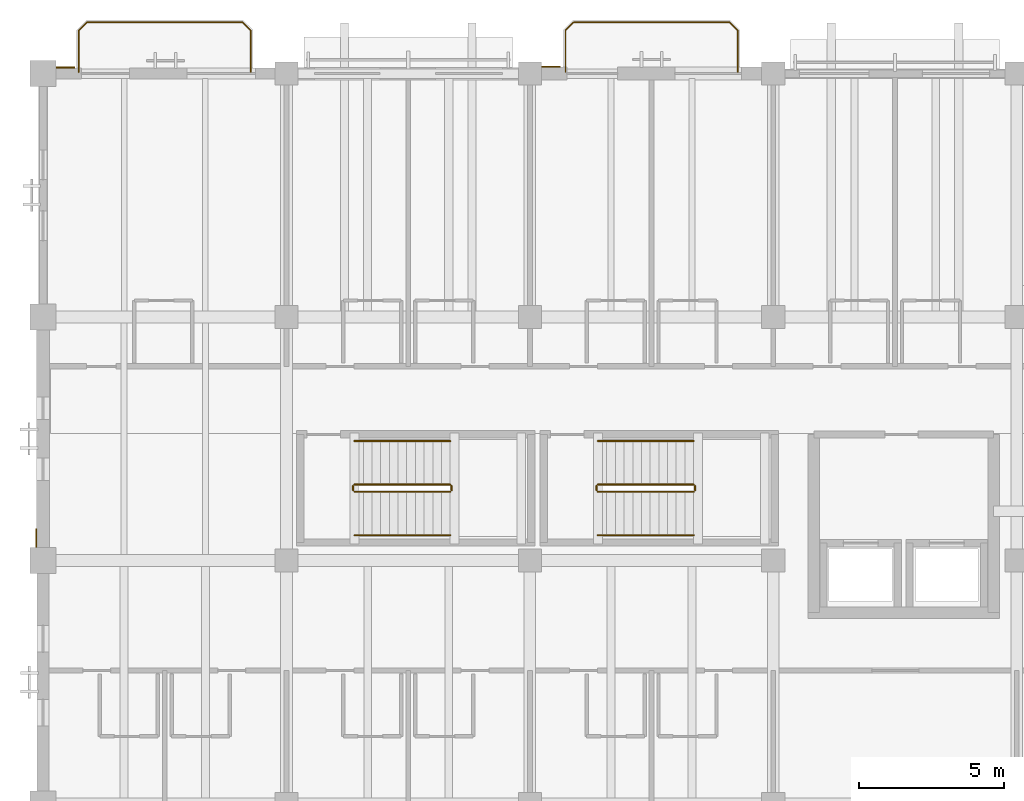
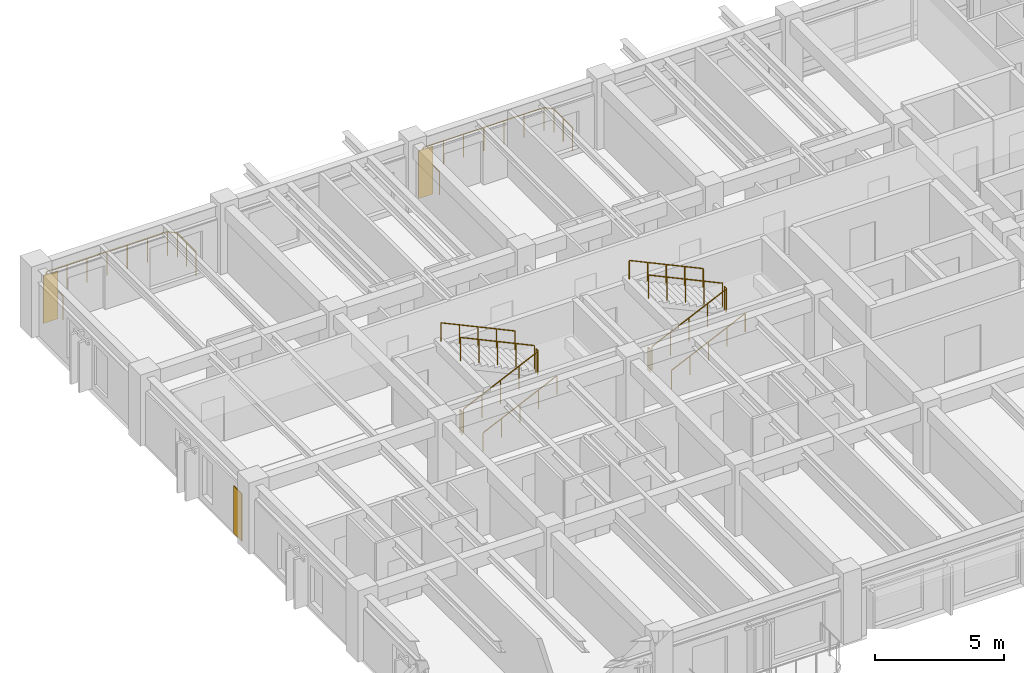
# One storey, part 114 of 123: 14 railings, 3 coverings.
"""IFC4 building model written with IfcOpenShell, lengths in metres."""

from ifc_helpers import new_model, si_unit, direction, frame, origin, origin_2d, place, context, subcontext, project, spatial, polyline, circle, outline, extrude, material, layer, layer_set, type_object, element, save


model = new_model("IFC4")

# Units and contexts
model_context = context("Model", 3, precision=1e-05, world=origin(), true_north=direction((0.0, 1.0)))
body_context = subcontext(model_context, "Body", "Model", "MODEL_VIEW")
ifc_project = project(units=[si_unit("LENGTHUNIT", "METRE"), si_unit("AREAUNIT", "SQUARE_METRE"), si_unit("VOLUMEUNIT", "CUBIC_METRE"), si_unit("PLANEANGLEUNIT", "RADIAN"), si_unit("MASSUNIT", "GRAM", prefix="KILO")], contexts=[model_context])

# Site, building, storey
site_placement = place(None, origin())
site = spatial("IfcSite", under=ifc_project, at=site_placement, CompositionType="ELEMENT")
building_placement = place(site_placement, origin())
building = spatial("IfcBuilding", under=site, at=building_placement, Name="Cumbredor Promenade Congress Hotel", CompositionType="ELEMENT")
storey_placement = place(building_placement, frame((0.0, 0.0, 11.760009765625)))
storey = spatial("IfcBuildingStorey", under=building, at=storey_placement, Name="L03", CompositionType="ELEMENT", Elevation=11.760009765625)

# Covering
ifc_material_1 = material(Name="Precast concrete C40/50", Category="concrete")
ifc_layer_1 = layer(ifc_material_1, 0.044921875, Name="Precast concrete C40/50", Category="concrete")
ifc_layer_set_1 = layer_set([ifc_layer_1], Name="Precast concrete C40/50")
covering_type_1 = type_object("IfcCoveringType", Name="Board-Formed Architectural Cladding Panel 45mm", PredefinedType="CLADDING", material=ifc_layer_set_1)
covering_1_placement = place(storey_placement, origin())
element("IfcCovering", 1, at=covering_1_placement, inside=storey, type_object=covering_type_1, Name="L03 Facade Stone Cladding Pier 156", PredefinedType="CLADDING", context=body_context, shape_type="SweptSolid", body=[
    extrude(outline(polyline([(0.450927734375, 117.7900390625), (1.10107421875, 117.7900390625), (1.10107421875, 117.8349609375), (0.450927734375, 117.8349609375), (0.450927734375, 117.7900390625)])), origin(), (0.0, 0.0, 1.0), 2.25),
])

# Railings
ifc_material_2 = material(Name="Brushed stainless steel", Category="steel")
railing_type_1 = type_object("IfcRailingType", Name="Interior Void & Stair Guardrail GR-1100", PredefinedType="GUARDRAIL", material=ifc_material_2)
railing_1_placement = place(storey_placement, frame((10.75, 103.169921875, 0.139892578125)))
element("IfcRailing", 2, at=railing_1_placement, inside=storey, type_object=railing_type_1, Name="L03 ST-01 stair guard 1", PredefinedType="GUARDRAIL", context=body_context, shape_type="SweptSolid", body=[
    extrude(circle(Radius=0.02392578125, at=origin_2d()), frame((0.0, 0.0, 1.09619140625), z_axis=(0.906181427284, 0.0, 0.422889135408), x_axis=(0.0, 1.0, 0.0)), (0.0, 0.0, 1.0), 3.6416015625),
    extrude(circle(Radius=0.02099609375, at=origin_2d()), origin(), (0.0, 0.0, 1.0), 1.072021484375),
    extrude(circle(Radius=0.02099609375, at=origin_2d()), frame((0.824951171875, 0.0, 0.385009765625)), (0.0, 0.0, 1.0), 1.072021484375),
    extrude(circle(Radius=0.02099609375, at=origin_2d()), frame((1.64990234375, 0.0, 0.77001953125)), (0.0, 0.0, 1.0), 1.072021484375),
    extrude(circle(Radius=0.02099609375, at=origin_2d()), frame((2.47509765625, 0.0, 1.155029296875)), (0.0, 0.0, 1.0), 1.072021484375),
    extrude(circle(Radius=0.02099609375, at=origin_2d()), frame((3.300048828125, 0.0, 1.5400390625)), (0.0, 0.0, 1.0), 1.072021484375),
])
railing_2_placement = place(storey_placement, frame((14.10009765625, 103.219970703125, 1.679931640625)))
element("IfcRailing", 3, at=railing_2_placement, inside=storey, type_object=railing_type_1, Name="L03 ST-01 stair guard 2", PredefinedType="GUARDRAIL", context=body_context, shape_type="SweptSolid", body=[
    extrude(circle(Radius=0.02392578125, at=origin_2d()), frame((0.0, 0.0, 1.09619140625), z_axis=(0.0, 1.0, 0.0), x_axis=(-1.0, 0.0, 0.0)), (0.0, 0.0, 1.0), 0.150146484375),
    extrude(circle(Radius=0.02099609375, at=origin_2d()), origin(), (0.0, 0.0, 1.0), 1.072021484375),
    extrude(circle(Radius=0.02099609375, at=origin_2d()), frame((0.0, 0.150146484375, 0.0)), (0.0, 0.0, 1.0), 1.072021484375),
])
railing_3_placement = place(storey_placement, frame((14.050048828125, 103.419921875, 1.820068359375)))
element("IfcRailing", 4, at=railing_3_placement, inside=storey, type_object=railing_type_1, Name="L03 ST-01 stair guard 3", PredefinedType="GUARDRAIL", context=body_context, shape_type="SweptSolid", body=[
    extrude(circle(Radius=0.02392578125, at=origin_2d()), frame((0.0, 0.0, 1.09619140625), z_axis=(-0.906181427284, 0.0, 0.422889135408), x_axis=(0.0, -1.0, 0.0)), (0.0, 0.0, 1.0), 3.6416015625),
    extrude(circle(Radius=0.02099609375, at=origin_2d()), origin(), (0.0, 0.0, 1.0), 1.072021484375),
    extrude(circle(Radius=0.02099609375, at=origin_2d()), frame((-0.824951171875, 0.0, 0.385009765625)), (0.0, 0.0, 1.0), 1.072021484375),
    extrude(circle(Radius=0.02099609375, at=origin_2d()), frame((-1.64990234375, 0.0, 0.77001953125)), (0.0, 0.0, 1.0), 1.072021484375),
    extrude(circle(Radius=0.02099609375, at=origin_2d()), frame((-2.47509765625, 0.0, 1.155029296875)), (0.0, 0.0, 1.0), 1.072021484375),
    extrude(circle(Radius=0.02099609375, at=origin_2d()), frame((-3.300048828125, 0.0, 1.5400390625)), (0.0, 0.0, 1.0), 1.072021484375),
])
railing_4_placement = place(storey_placement, frame((10.699951171875, 103.219970703125, 0.0)))
element("IfcRailing", 5, at=railing_4_placement, inside=storey, type_object=railing_type_1, Name="L03 ST-01 stair guard 4", PredefinedType="GUARDRAIL", context=body_context, shape_type="SweptSolid", body=[
    extrude(circle(Radius=0.02392578125, at=origin_2d()), frame((0.0, 0.0, 1.09619140625), z_axis=(0.0, 1.0, 0.0), x_axis=(-1.0, 0.0, 0.0)), (0.0, 0.0, 1.0), 0.150146484375),
    extrude(circle(Radius=0.02099609375, at=origin_2d()), origin(), (0.0, 0.0, 1.0), 1.072021484375),
    extrude(circle(Radius=0.02099609375, at=origin_2d()), frame((0.0, 0.150146484375, 0.0)), (0.0, 0.0, 1.0), 1.072021484375),
])
railing_5_placement = place(storey_placement, frame((19.14990234375, 103.169921875, 0.139892578125)))
element("IfcRailing", 6, at=railing_5_placement, inside=storey, type_object=railing_type_1, Name="L03 ST-02 stair guard 1", PredefinedType="GUARDRAIL", context=body_context, shape_type="SweptSolid", body=[
    extrude(circle(Radius=0.02392578125, at=origin_2d()), frame((0.0, 0.0, 1.09619140625), z_axis=(0.906181427284, 0.0, 0.422889135408), x_axis=(0.0, 1.0, 0.0)), (0.0, 0.0, 1.0), 3.6416015625),
    extrude(circle(Radius=0.02099609375, at=origin_2d()), origin(), (0.0, 0.0, 1.0), 1.072021484375),
    extrude(circle(Radius=0.02099609375, at=origin_2d()), frame((0.824951171875, 0.0, 0.385009765625)), (0.0, 0.0, 1.0), 1.072021484375),
    extrude(circle(Radius=0.02099609375, at=origin_2d()), frame((1.64990234375, 0.0, 0.77001953125)), (0.0, 0.0, 1.0), 1.072021484375),
    extrude(circle(Radius=0.02099609375, at=origin_2d()), frame((2.47509765625, 0.0, 1.155029296875)), (0.0, 0.0, 1.0), 1.072021484375),
    extrude(circle(Radius=0.02099609375, at=origin_2d()), frame((3.300048828125, 0.0, 1.5400390625)), (0.0, 0.0, 1.0), 1.072021484375),
])
railing_6_placement = place(storey_placement, frame((22.5, 103.219970703125, 1.679931640625)))
element("IfcRailing", 7, at=railing_6_placement, inside=storey, type_object=railing_type_1, Name="L03 ST-02 stair guard 2", PredefinedType="GUARDRAIL", context=body_context, shape_type="SweptSolid", body=[
    extrude(circle(Radius=0.02392578125, at=origin_2d()), frame((0.0, 0.0, 1.09619140625), z_axis=(0.0, 1.0, 0.0), x_axis=(-1.0, 0.0, 0.0)), (0.0, 0.0, 1.0), 0.150146484375),
    extrude(circle(Radius=0.02099609375, at=origin_2d()), origin(), (0.0, 0.0, 1.0), 1.072021484375),
    extrude(circle(Radius=0.02099609375, at=origin_2d()), frame((0.0, 0.150146484375, 0.0)), (0.0, 0.0, 1.0), 1.072021484375),
])
railing_7_placement = place(storey_placement, frame((22.449951171875, 103.419921875, 1.820068359375)))
element("IfcRailing", 8, at=railing_7_placement, inside=storey, type_object=railing_type_1, Name="L03 ST-02 stair guard 3", PredefinedType="GUARDRAIL", context=body_context, shape_type="SweptSolid", body=[
    extrude(circle(Radius=0.02392578125, at=origin_2d()), frame((0.0, 0.0, 1.09619140625), z_axis=(-0.906181427284, 0.0, 0.422889135408), x_axis=(0.0, -1.0, 0.0)), (0.0, 0.0, 1.0), 3.6416015625),
    extrude(circle(Radius=0.02099609375, at=origin_2d()), origin(), (0.0, 0.0, 1.0), 1.072021484375),
    extrude(circle(Radius=0.02099609375, at=origin_2d()), frame((-0.824951171875, 0.0, 0.385009765625)), (0.0, 0.0, 1.0), 1.072021484375),
    extrude(circle(Radius=0.02099609375, at=origin_2d()), frame((-1.64990234375, 0.0, 0.77001953125)), (0.0, 0.0, 1.0), 1.072021484375),
    extrude(circle(Radius=0.02099609375, at=origin_2d()), frame((-2.47509765625, 0.0, 1.155029296875)), (0.0, 0.0, 1.0), 1.072021484375),
    extrude(circle(Radius=0.02099609375, at=origin_2d()), frame((-3.300048828125, 0.0, 1.5400390625)), (0.0, 0.0, 1.0), 1.072021484375),
])
railing_8_placement = place(storey_placement, frame((19.10009765625, 103.219970703125, 0.0)))
element("IfcRailing", 9, at=railing_8_placement, inside=storey, type_object=railing_type_1, Name="L03 ST-02 stair guard 4", PredefinedType="GUARDRAIL", context=body_context, shape_type="SweptSolid", body=[
    extrude(circle(Radius=0.02392578125, at=origin_2d()), frame((0.0, 0.0, 1.09619140625), z_axis=(0.0, 1.0, 0.0), x_axis=(-1.0, 0.0, 0.0)), (0.0, 0.0, 1.0), 0.150146484375),
    extrude(circle(Radius=0.02099609375, at=origin_2d()), origin(), (0.0, 0.0, 1.0), 1.072021484375),
    extrude(circle(Radius=0.02099609375, at=origin_2d()), frame((0.0, 0.150146484375, 0.0)), (0.0, 0.0, 1.0), 1.072021484375),
])
railing_type_2 = type_object("IfcRailingType", Name="Sky Garden Glass-and-Steel Balustrade BAL-1150", PredefinedType="BALUSTRADE", material=ifc_material_2)
railing_9_placement = place(storey_placement, frame((1.22998046875, 117.64990234375, 0.0)))
element("IfcRailing", 10, at=railing_9_placement, inside=storey, type_object=railing_type_2, Name="L03 Veranda Balcony Balustrade 012", PredefinedType="BALUSTRADE", context=body_context, shape_type="SweptSolid", body=[
    extrude(circle(Radius=0.02392578125, at=origin_2d()), frame((0.0, 0.0, 1.1259765625), z_axis=(0.0, 1.0, 0.0), x_axis=(-1.0, 0.0, 0.0)), (0.0, 0.0, 1.0), 1.440185546875),
    extrude(circle(Radius=0.02392578125, at=origin_2d()), frame((0.0, 1.440185546875, 1.1259765625), z_axis=(0.707106781187, 0.707106781187, 0.0), x_axis=(-0.707106781187, 0.707106781187, 0.0)), (0.0, 0.0, 1.0), 0.39599609375),
    extrude(circle(Radius=0.02392578125, at=origin_2d()), frame((0.280029296875, 1.72021484375, 1.1259765625), z_axis=(1.0, 0.0, 0.0), x_axis=(0.0, 1.0, 0.0)), (0.0, 0.0, 1.0), 5.3798828125),
    extrude(circle(Radius=0.02392578125, at=origin_2d()), frame((5.659912109375, 1.72021484375, 1.1259765625), z_axis=(0.707106781187, -0.707106781187, 0.0), x_axis=(0.707106781187, 0.707106781187, 0.0)), (0.0, 0.0, 1.0), 0.39599609375),
    extrude(circle(Radius=0.02392578125, at=origin_2d()), frame((5.93994140625, 1.440185546875, 1.1259765625), z_axis=(0.0, -1.0, 0.0), x_axis=(1.0, 0.0, 0.0)), (0.0, 0.0, 1.0), 1.440185546875),
    extrude(circle(Radius=0.02099609375, at=origin_2d()), origin(), (0.0, 0.0, 1.0), 1.101806640625),
    extrude(circle(Radius=0.02099609375, at=origin_2d()), frame((0.0, 0.72021484375, 0.0)), (0.0, 0.0, 1.0), 1.101806640625),
    extrude(circle(Radius=0.02099609375, at=origin_2d()), frame((0.0, 1.440185546875, 0.0)), (0.0, 0.0, 1.0), 1.101806640625),
    extrude(circle(Radius=0.02099609375, at=origin_2d()), frame((0.280029296875, 1.72021484375, 0.0)), (0.0, 0.0, 1.0), 1.101806640625),
    extrude(circle(Radius=0.02099609375, at=origin_2d()), frame((1.1767578125, 1.72021484375, 0.0)), (0.0, 0.0, 1.0), 1.101806640625),
    extrude(circle(Radius=0.02099609375, at=origin_2d()), frame((2.0732421875, 1.72021484375, 0.0)), (0.0, 0.0, 1.0), 1.101806640625),
    extrude(circle(Radius=0.02099609375, at=origin_2d()), frame((2.969970703125, 1.72021484375, 0.0)), (0.0, 0.0, 1.0), 1.101806640625),
    extrude(circle(Radius=0.02099609375, at=origin_2d()), frame((3.86669921875, 1.72021484375, 0.0)), (0.0, 0.0, 1.0), 1.101806640625),
    extrude(circle(Radius=0.02099609375, at=origin_2d()), frame((4.76318359375, 1.72021484375, 0.0)), (0.0, 0.0, 1.0), 1.101806640625),
    extrude(circle(Radius=0.02099609375, at=origin_2d()), frame((5.659912109375, 1.72021484375, 0.0)), (0.0, 0.0, 1.0), 1.101806640625),
    extrude(circle(Radius=0.02099609375, at=origin_2d()), frame((5.93994140625, 1.440185546875, 0.0)), (0.0, 0.0, 1.0), 1.101806640625),
    extrude(circle(Radius=0.02099609375, at=origin_2d()), frame((5.93994140625, 0.72021484375, 0.0)), (0.0, 0.0, 1.0), 1.101806640625),
    extrude(circle(Radius=0.02099609375, at=origin_2d()), frame((5.93994140625, 0.0, 0.0)), (0.0, 0.0, 1.0), 1.101806640625),
])
railing_type_3 = type_object("IfcRailingType", Name="Stair Pitch Handrail HR-900", PredefinedType="HANDRAIL", material=ifc_material_2)
railing_10_placement = place(storey_placement, frame((10.75, 101.669921875, 0.139892578125)))
element("IfcRailing", 11, at=railing_10_placement, inside=storey, type_object=railing_type_3, Name="L03 ST-01 stair handrail 1", PredefinedType="HANDRAIL", context=body_context, shape_type="SweptSolid", body=[
    extrude(circle(Radius=0.02392578125, at=origin_2d()), frame((0.0, 0.0, 0.8759765625), z_axis=(0.906181427284, 0.0, 0.422889135408), x_axis=(0.0, 1.0, 0.0)), (0.0, 0.0, 1.0), 3.6416015625),
    extrude(circle(Radius=0.02099609375, at=origin_2d()), origin(), (0.0, 0.0, 1.0), 0.851806640625),
    extrude(circle(Radius=0.02099609375, at=origin_2d()), frame((0.824951171875, 0.0, 0.385009765625)), (0.0, 0.0, 1.0), 0.851806640625),
    extrude(circle(Radius=0.02099609375, at=origin_2d()), frame((1.64990234375, 0.0, 0.77001953125)), (0.0, 0.0, 1.0), 0.851806640625),
    extrude(circle(Radius=0.02099609375, at=origin_2d()), frame((2.47509765625, 0.0, 1.155029296875)), (0.0, 0.0, 1.0), 0.851806640625),
    extrude(circle(Radius=0.02099609375, at=origin_2d()), frame((3.300048828125, 0.0, 1.5400390625)), (0.0, 0.0, 1.0), 0.851806640625),
])
railing_11_placement = place(storey_placement, frame((14.050048828125, 104.919921875, 1.820068359375)))
element("IfcRailing", 12, at=railing_11_placement, inside=storey, type_object=railing_type_3, Name="L03 ST-01 stair handrail 2", PredefinedType="HANDRAIL", context=body_context, shape_type="SweptSolid", body=[
    extrude(circle(Radius=0.02392578125, at=origin_2d()), frame((0.0, 0.0, 0.8759765625), z_axis=(-0.906181427284, 0.0, 0.422889135408), x_axis=(0.0, -1.0, 0.0)), (0.0, 0.0, 1.0), 3.6416015625),
    extrude(circle(Radius=0.02099609375, at=origin_2d()), origin(), (0.0, 0.0, 1.0), 0.851806640625),
    extrude(circle(Radius=0.02099609375, at=origin_2d()), frame((-0.824951171875, 0.0, 0.385009765625)), (0.0, 0.0, 1.0), 0.851806640625),
    extrude(circle(Radius=0.02099609375, at=origin_2d()), frame((-1.64990234375, 0.0, 0.77001953125)), (0.0, 0.0, 1.0), 0.851806640625),
    extrude(circle(Radius=0.02099609375, at=origin_2d()), frame((-2.47509765625, 0.0, 1.155029296875)), (0.0, 0.0, 1.0), 0.851806640625),
    extrude(circle(Radius=0.02099609375, at=origin_2d()), frame((-3.300048828125, 0.0, 1.5400390625)), (0.0, 0.0, 1.0), 0.851806640625),
])
railing_12_placement = place(storey_placement, frame((19.14990234375, 101.669921875, 0.139892578125)))
element("IfcRailing", 13, at=railing_12_placement, inside=storey, type_object=railing_type_3, Name="L03 ST-02 stair handrail 1", PredefinedType="HANDRAIL", context=body_context, shape_type="SweptSolid", body=[
    extrude(circle(Radius=0.02392578125, at=origin_2d()), frame((0.0, 0.0, 0.8759765625), z_axis=(0.906181427284, 0.0, 0.422889135408), x_axis=(0.0, 1.0, 0.0)), (0.0, 0.0, 1.0), 3.6416015625),
    extrude(circle(Radius=0.02099609375, at=origin_2d()), origin(), (0.0, 0.0, 1.0), 0.851806640625),
    extrude(circle(Radius=0.02099609375, at=origin_2d()), frame((0.824951171875, 0.0, 0.385009765625)), (0.0, 0.0, 1.0), 0.851806640625),
    extrude(circle(Radius=0.02099609375, at=origin_2d()), frame((1.64990234375, 0.0, 0.77001953125)), (0.0, 0.0, 1.0), 0.851806640625),
    extrude(circle(Radius=0.02099609375, at=origin_2d()), frame((2.47509765625, 0.0, 1.155029296875)), (0.0, 0.0, 1.0), 0.851806640625),
    extrude(circle(Radius=0.02099609375, at=origin_2d()), frame((3.300048828125, 0.0, 1.5400390625)), (0.0, 0.0, 1.0), 0.851806640625),
])
railing_13_placement = place(storey_placement, frame((22.449951171875, 104.919921875, 1.820068359375)))
element("IfcRailing", 14, at=railing_13_placement, inside=storey, type_object=railing_type_3, Name="L03 ST-02 stair handrail 2", PredefinedType="HANDRAIL", context=body_context, shape_type="SweptSolid", body=[
    extrude(circle(Radius=0.02392578125, at=origin_2d()), frame((0.0, 0.0, 0.8759765625), z_axis=(-0.906181427284, 0.0, 0.422889135408), x_axis=(0.0, -1.0, 0.0)), (0.0, 0.0, 1.0), 3.6416015625),
    extrude(circle(Radius=0.02099609375, at=origin_2d()), origin(), (0.0, 0.0, 1.0), 0.851806640625),
    extrude(circle(Radius=0.02099609375, at=origin_2d()), frame((-0.824951171875, 0.0, 0.385009765625)), (0.0, 0.0, 1.0), 0.851806640625),
    extrude(circle(Radius=0.02099609375, at=origin_2d()), frame((-1.64990234375, 0.0, 0.77001953125)), (0.0, 0.0, 1.0), 0.851806640625),
    extrude(circle(Radius=0.02099609375, at=origin_2d()), frame((-2.47509765625, 0.0, 1.155029296875)), (0.0, 0.0, 1.0), 0.851806640625),
    extrude(circle(Radius=0.02099609375, at=origin_2d()), frame((-3.300048828125, 0.0, 1.5400390625)), (0.0, 0.0, 1.0), 0.851806640625),
])
railing_type_4 = type_object("IfcRailingType", Name="Terrace Perimeter Balustrade BAL-1120", PredefinedType="BALUSTRADE", material=ifc_material_2)
railing_14_placement = place(storey_placement, frame((18.030029296875, 117.64990234375, 0.0)))
element("IfcRailing", 15, at=railing_14_placement, inside=storey, type_object=railing_type_4, Name="L03 Veranda Balcony Balustrade 013", PredefinedType="BALUSTRADE", context=body_context, shape_type="SweptSolid", body=[
    extrude(circle(Radius=0.02392578125, at=origin_2d()), frame((0.0, 0.0, 1.09619140625), z_axis=(0.0, 1.0, 0.0), x_axis=(-1.0, 0.0, 0.0)), (0.0, 0.0, 1.0), 1.440185546875),
    extrude(circle(Radius=0.02392578125, at=origin_2d()), frame((0.0, 1.440185546875, 1.09619140625), z_axis=(0.707106781187, 0.707106781187, 0.0), x_axis=(-0.707106781187, 0.707106781187, 0.0)), (0.0, 0.0, 1.0), 0.39599609375),
    extrude(circle(Radius=0.02392578125, at=origin_2d()), frame((0.280029296875, 1.72021484375, 1.09619140625), z_axis=(1.0, 0.0, 0.0), x_axis=(0.0, 1.0, 0.0)), (0.0, 0.0, 1.0), 5.3798828125),
    extrude(circle(Radius=0.02392578125, at=origin_2d()), frame((5.659912109375, 1.72021484375, 1.09619140625), z_axis=(0.707106781187, -0.707106781187, 0.0), x_axis=(0.707106781187, 0.707106781187, 0.0)), (0.0, 0.0, 1.0), 0.39599609375),
    extrude(circle(Radius=0.02392578125, at=origin_2d()), frame((5.93994140625, 1.440185546875, 1.09619140625), z_axis=(0.0, -1.0, 0.0), x_axis=(1.0, 0.0, 0.0)), (0.0, 0.0, 1.0), 1.440185546875),
    extrude(circle(Radius=0.02099609375, at=origin_2d()), origin(), (0.0, 0.0, 1.0), 1.072021484375),
    extrude(circle(Radius=0.02099609375, at=origin_2d()), frame((0.0, 0.72021484375, 0.0)), (0.0, 0.0, 1.0), 1.072021484375),
    extrude(circle(Radius=0.02099609375, at=origin_2d()), frame((0.0, 1.440185546875, 0.0)), (0.0, 0.0, 1.0), 1.072021484375),
    extrude(circle(Radius=0.02099609375, at=origin_2d()), frame((0.280029296875, 1.72021484375, 0.0)), (0.0, 0.0, 1.0), 1.072021484375),
    extrude(circle(Radius=0.02099609375, at=origin_2d()), frame((1.1767578125, 1.72021484375, 0.0)), (0.0, 0.0, 1.0), 1.072021484375),
    extrude(circle(Radius=0.02099609375, at=origin_2d()), frame((2.0732421875, 1.72021484375, 0.0)), (0.0, 0.0, 1.0), 1.072021484375),
    extrude(circle(Radius=0.02099609375, at=origin_2d()), frame((2.969970703125, 1.72021484375, 0.0)), (0.0, 0.0, 1.0), 1.072021484375),
    extrude(circle(Radius=0.02099609375, at=origin_2d()), frame((3.86669921875, 1.72021484375, 0.0)), (0.0, 0.0, 1.0), 1.072021484375),
    extrude(circle(Radius=0.02099609375, at=origin_2d()), frame((4.76318359375, 1.72021484375, 0.0)), (0.0, 0.0, 1.0), 1.072021484375),
    extrude(circle(Radius=0.02099609375, at=origin_2d()), frame((5.659912109375, 1.72021484375, 0.0)), (0.0, 0.0, 1.0), 1.072021484375),
    extrude(circle(Radius=0.02099609375, at=origin_2d()), frame((5.93994140625, 1.440185546875, 0.0)), (0.0, 0.0, 1.0), 1.072021484375),
    extrude(circle(Radius=0.02099609375, at=origin_2d()), frame((5.93994140625, 0.72021484375, 0.0)), (0.0, 0.0, 1.0), 1.072021484375),
    extrude(circle(Radius=0.02099609375, at=origin_2d()), frame((5.93994140625, 0.0, 0.0)), (0.0, 0.0, 1.0), 1.072021484375),
])

# Coverings
ifc_material_3 = material(Name="Volcanic andesite ashlar cladding", Category="masonry")
ifc_layer_2 = layer(ifc_material_3, 0.034912109375, Name="Volcanic andesite ashlar cladding", Category="masonry")
ifc_layer_set_2 = layer_set([ifc_layer_2], Name="Volcanic andesite ashlar cladding")
covering_type_2 = type_object("IfcCoveringType", Name="Volcanic Andesite Ashlar Rainscreen Cladding 35mm", PredefinedType="CLADDING", material=ifc_layer_set_2)
covering_2_placement = place(storey_placement, origin())
element("IfcCovering", 16, at=covering_2_placement, inside=storey, type_object=covering_type_2, Name="L03 Facade Stone Cladding Pier 157", PredefinedType="CLADDING", context=body_context, shape_type="SweptSolid", body=[
    extrude(outline(polyline([(17.200927734375, 117.824951171875), (17.85107421875, 117.824951171875), (17.85107421875, 117.860107421875), (17.200927734375, 117.860107421875), (17.200927734375, 117.824951171875)])), origin(), (0.0, 0.0, 1.0), 2.25),
])
covering_3_placement = place(storey_placement, origin())
element("IfcCovering", 17, at=covering_3_placement, inside=storey, type_object=covering_type_2, Name="L03 Facade Stone Cladding Pier 161", PredefinedType="CLADDING", context=body_context, shape_type="SweptSolid", body=[
    extrude(outline(polyline([(-0.22509765625, 101.2509765625), (-0.22509765625, 101.90087890625), (-0.260009765625, 101.90087890625), (-0.260009765625, 101.2509765625), (-0.22509765625, 101.2509765625)])), origin(), (0.0, 0.0, 1.0), 2.25),
])

save(model, "model.ifc")
